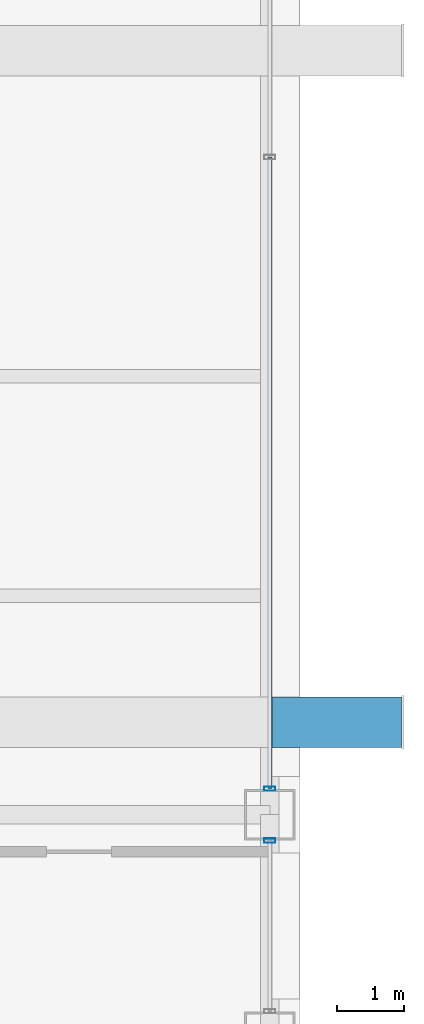
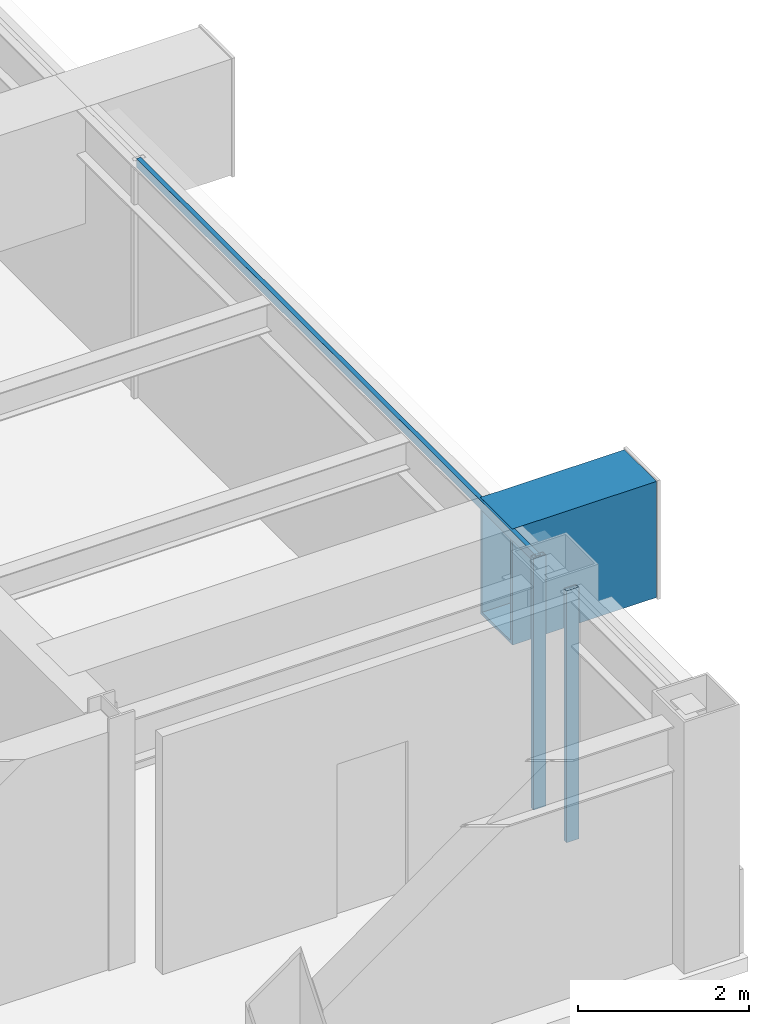
# One storey, part 13 of 26: 3 members, 1 beam, 2 elements without a shape of their own.
"""IFC4 building model written with IfcOpenShell, lengths in metres."""

import ifcopenshell
import ifcopenshell.guid

model = None  # the IFC model being written
_history = None  # IfcOwnerHistory: only IFC2X3 demands one
_inside = {}  # id of a spatial element -> (the spatial element, [elements in it])
_under = {}  # id of a project, library or spatial element -> (it, [spatial elements below it])
_declared = {}  # id of a project -> (the project, [libraries it declares])
_typed = {}  # id of a type object -> (the type object, [elements of that type])
_made_of = {}  # id of a material, layer set ... -> (it, [elements and type objects made of it])


def new_model(schema):
    """Start an empty IFC model of exactly this schema.

    Asked for "IFC4X3", IfcOpenShell would pick the latest addendum, in which some entities
    have other attributes; the version numbers below select the first issue.
    IFC2X3 requires an IfcOwnerHistory on every rooted entity: one is made here for all.
    """
    global model, _history
    if schema == "IFC4X3":
        model = ifcopenshell.file(schema_version=(4, 3, 0, 0))
    else:
        model = ifcopenshell.file(schema=schema)
    _inside.clear()
    _under.clear()
    _declared.clear()
    _typed.clear()
    _made_of.clear()
    _history = None
    if model.schema == "IFC2X3":
        org = make("IfcOrganization", Name="unknown")
        user = make(
            "IfcPersonAndOrganization",
            ThePerson=make("IfcPerson", FamilyName="unknown"),
            TheOrganization=org,
        )
        app = make(
            "IfcApplication",
            ApplicationDeveloper=org,
            Version="unknown",
            ApplicationFullName="unknown",
            ApplicationIdentifier="unknown",
        )
        _history = make(
            "IfcOwnerHistory",
            OwningUser=user,
            OwningApplication=app,
            ChangeAction="ADDED",
            CreationDate=0,
        )
    return model


def make(cls, **values):
    """One entity of the class cls with the attributes given. An attribute that is None is left unset."""
    return model.create_entity(
        cls, **{name: value for name, value in values.items() if value is not None}
    )


def rooted(cls, **values):
    """An entity with a GlobalId (a new one), such as an element, a storey or a relation."""
    return make(cls, GlobalId=ifcopenshell.guid.new(), OwnerHistory=_history, **values)


def si_unit(unit_type, name, prefix=None):
    """IfcSIUnit, for example si_unit("LENGTHUNIT", "METRE", prefix="MILLI")."""
    return make("IfcSIUnit", UnitType=unit_type, Prefix=prefix, Name=name)


def assignment(units):
    """IfcUnitAssignment: the units of a project."""
    return None if units is None else make("IfcUnitAssignment", Units=units)


def point(xyz):
    """IfcCartesianPoint."""
    return None if xyz is None else make("IfcCartesianPoint", Coordinates=xyz)


def direction(xyz):
    """IfcDirection."""
    return None if xyz is None else make("IfcDirection", DirectionRatios=xyz)


def frame(location, z_axis=None, x_axis=None):
    """IfcAxis2Placement3D, a coordinate frame: its origin and axes. An axis left out is left unset."""
    return make(
        "IfcAxis2Placement3D",
        Location=point(location),
        Axis=direction(z_axis),
        RefDirection=direction(x_axis),
    )


def frame_2d(location, x_axis=None):
    """IfcAxis2Placement2D, a coordinate frame in the plane: its origin and x axis."""
    return make(
        "IfcAxis2Placement2D", Location=point(location), RefDirection=direction(x_axis)
    )


def origin():
    """The frame at (0, 0, 0) with its axes left unset."""
    return frame((0.0, 0.0, 0.0))


def origin_2d():
    """The frame at (0, 0) in the plane with its x axis left unset."""
    return frame_2d((0.0, 0.0))


def place(relative_to, where):
    """IfcLocalPlacement: puts the frame where relative to a parent placement (None: the world)."""
    return make(
        "IfcLocalPlacement", PlacementRelTo=relative_to, RelativePlacement=where
    )


def context(
    kind, dimensions, precision=None, world=None, true_north=None, identifier=None
):
    """IfcGeometricRepresentationContext, for example the 3D "Model" context."""
    return make(
        "IfcGeometricRepresentationContext",
        ContextIdentifier=identifier,
        ContextType=kind,
        CoordinateSpaceDimension=dimensions,
        Precision=precision,
        WorldCoordinateSystem=world,
        TrueNorth=true_north,
    )


def subcontext(parent, identifier, kind, view, scale=None):
    """IfcGeometricRepresentationSubContext, for example "Body" below "Model"."""
    return make(
        "IfcGeometricRepresentationSubContext",
        ContextIdentifier=identifier,
        ContextType=kind,
        ParentContext=parent,
        TargetScale=scale,
        TargetView=view,
    )


def project(units=None, contexts=None):
    """IfcProject with its units and contexts."""
    return rooted(
        "IfcProject",
        Name="project",
        RepresentationContexts=contexts,
        UnitsInContext=assignment(units),
    )


def spatial(cls, under=None, at=None, **own):
    """A site, building, storey or space (cls), placed at a placement, below another one or the project."""
    s = rooted(cls, ObjectPlacement=at, **own)
    if under is not None:
        _under.setdefault(under.id(), (under, []))[1].append(s)
    return s


def profile(cls, at=None, kind="AREA", **sizes):
    """A parametric profile (cls). Its sizes go by their IFC names, for example OverallWidth=200.0."""
    return make(cls, ProfileType=kind, Position=at, **sizes)


def hollow_rectangle(**sizes):
    """IfcRectangleHollowProfileDef."""
    return profile("IfcRectangleHollowProfileDef", **sizes)


def extrude(swept, where, along, depth):
    """IfcExtrudedAreaSolid: the profile swept, set in the frame where, extruded along a direction by depth."""
    return make(
        "IfcExtrudedAreaSolid",
        SweptArea=swept,
        Position=where,
        ExtrudedDirection=direction(along),
        Depth=depth,
    )


def shape(context_of_items, identifier, shape_type, items):
    """IfcShapeRepresentation: the items that make up one representation, for example the "Body"."""
    return make(
        "IfcShapeRepresentation",
        ContextOfItems=context_of_items,
        RepresentationIdentifier=identifier,
        RepresentationType=shape_type,
        Items=items,
    )


def material(Name=None, Category=None):
    """IfcMaterial."""
    return make("IfcMaterial", Name=Name, Category=Category)


def layer(
    of_material, thickness, ventilated=None, Name=None, Category=None, Priority=None
):
    """IfcMaterialLayer: one layer of a wall or slab, of a material (None: an air gap)."""
    return make(
        "IfcMaterialLayer",
        Material=of_material,
        LayerThickness=thickness,
        IsVentilated=ventilated,
        Name=Name,
        Category=Category,
        Priority=Priority,
    )


def layer_set(layers, Name=None):
    """IfcMaterialLayerSet."""
    return make("IfcMaterialLayerSet", MaterialLayers=layers, LayerSetName=Name)


def material_profile(
    of_material, cross_section, Name=None, Category=None, Priority=None
):
    """IfcMaterialProfile: a cross section and its material."""
    return make(
        "IfcMaterialProfile",
        Name=Name,
        Material=of_material,
        Profile=cross_section,
        Priority=Priority,
        Category=Category,
    )


def profile_set(profiles, Name=None, composite=None):
    """IfcMaterialProfileSet."""
    return make(
        "IfcMaterialProfileSet",
        Name=Name,
        MaterialProfiles=profiles,
        CompositeProfile=composite,
    )


def made_of(thing, what):
    """Note that an element or type object is made of a material, layer set ...; save() writes the relation."""
    if what is not None:
        _made_of.setdefault(what.id(), (what, []))[1].append(thing)
    return thing


def type_object(cls, material=None, **own):
    """A type object (cls), such as IfcWallType, which elements share."""
    return made_of(rooted(cls, **own), material)


def element(
    cls,
    number,
    at=None,
    inside=None,
    cuts=None,
    type_object=None,
    material=None,
    context=None,
    identifier="Body",
    shape_type=None,
    held_by="IfcProductDefinitionShape",
    body=None,
    shapes=None,
    **own,
):
    """One element of the class cls, such as IfcWall. Its Tag is "e" and its number.

    at: its placement. inside: the storey or other place that contains it. cuts: it is an
    opening in that element (IfcRelVoidsElement). A single representation is given by context,
    identifier, shape_type and body (its items); several are given by shapes. held_by: the class
    of the entity that holds the representations. save() writes the other relations.
    """
    e = rooted(cls, Tag="e%d" % number, ObjectPlacement=at, **own)
    if body is not None:
        shapes = [shape(context, identifier, shape_type, body)]
    if shapes is not None:
        e.Representation = make(held_by, Representations=shapes)
    if inside is not None:
        _inside.setdefault(inside.id(), (inside, []))[1].append(e)
    if cuts is not None:
        rooted(
            "IfcRelVoidsElement", RelatingBuildingElement=cuts, RelatedOpeningElement=e
        )
    if type_object is not None:
        _typed.setdefault(type_object.id(), (type_object, []))[1].append(e)
    return made_of(e, material)


def aggregate(whole, parts):
    """IfcRelAggregates: a whole, such as a stair, and the parts it consists of."""
    return rooted("IfcRelAggregates", RelatingObject=whole, RelatedObjects=parts)


def save(model, path):
    """Write the relations noted so far, then the file.

    IfcRelAggregates (storeys below a building ...), IfcRelContainedInSpatialStructure (elements
    in a storey), IfcRelDefinesByType, IfcRelAssociatesMaterial and IfcRelDeclares: one each for
    every whole, place, type object, material and project.
    """
    for whole, parts in _under.values():
        aggregate(whole, parts)
    for where, things in _inside.values():
        rooted(
            "IfcRelContainedInSpatialStructure",
            RelatedElements=things,
            RelatingStructure=where,
        )
    for kind, things in _typed.values():
        rooted("IfcRelDefinesByType", RelatedObjects=things, RelatingType=kind)
    for what, things in _made_of.values():
        rooted("IfcRelAssociatesMaterial", RelatedObjects=things, RelatingMaterial=what)
    for by, libraries in _declared.values():
        rooted("IfcRelDeclares", RelatingContext=by, RelatedDefinitions=libraries)
    model.write(path)


model = new_model("IFC4")

# Units and contexts
model_context = context("Model", 3, precision=1e-05, world=origin(), true_north=direction((0.0, 1.0)))
body_context = subcontext(model_context, "Body", "Model", "MODEL_VIEW")
ifc_project = project(units=[si_unit("LENGTHUNIT", "METRE"), si_unit("AREAUNIT", "SQUARE_METRE"), si_unit("VOLUMEUNIT", "CUBIC_METRE"), si_unit("PLANEANGLEUNIT", "RADIAN"), si_unit("MASSUNIT", "GRAM", prefix="KILO")], contexts=[model_context])

# Site, building, storey
site_placement = place(None, origin())
site = spatial("IfcSite", under=ifc_project, at=site_placement, CompositionType="ELEMENT")
building_placement = place(site_placement, origin())
building = spatial("IfcBuilding", under=site, at=building_placement, Name="Brelmoor Portico Tower", CompositionType="ELEMENT")
storey_placement = place(building_placement, frame((0.0, 0.0, 180.300048828125)))
storey = spatial("IfcBuildingStorey", under=building, at=storey_placement, Name="L47", CompositionType="ELEMENT", Elevation=180.300048828125)

# Beam
ifc_material_1 = material(Name="Steel Q355B", Category="steel")
ifc_material_profile_1 = material_profile(ifc_material_1, hollow_rectangle(XDim=0.75, YDim=1.659912109375, WallThickness=0.0419921875, at=origin_2d()), Name="BOX 750x1660x42")
ifc_profile_set_1 = profile_set([ifc_material_profile_1], Name="Steel Q355B")
beam_type = type_object("IfcBeamType", Name="BM-PF-CANT", PredefinedType="BEAM", material=ifc_profile_set_1)
beam_placement = place(storey_placement, frame((20.550048828125, -8.3798828125, 2.570068359375), z_axis=(1.0, 0.0, 0.0), x_axis=(0.0, 1.0, 0.0)))
element("IfcBeam", 1, at=beam_placement, inside=storey, type_object=beam_type, Name="L47 Picture-Frame Outrigger Transfer Cantilever PFB-01", PredefinedType="BEAM", context=body_context, shape_type="SweptSolid", body=[
    extrude(hollow_rectangle(XDim=0.75, YDim=1.659912109375, WallThickness=0.0419921875, at=origin_2d()), origin(), (0.0, 0.0, 1.0), 1.949951171875),
])

# Curtain wall, member
ifc_material_2 = material(Name="Anodised Aluminium Alloy 6063-T6", Category="aluminium")
ifc_layer = layer(ifc_material_2, 0.179931640625)
ifc_layer_set = layer_set([ifc_layer], Name="Anodised Aluminium Alloy 6063-T6")
curtain_wall_type = type_object("IfcCurtainWallType", Name="CW-TOWER-Z3-XB", PredefinedType="NOTDEFINED", material=ifc_layer_set)
curtain_wall_1_placement = place(storey_placement, origin())
curtain_wall_1 = element("IfcCurtainWall", 2, at=curtain_wall_1_placement, inside=storey, type_object=curtain_wall_type, Name="L47 Curtain Wall CW-L47-04-1", PredefinedType="NOTDEFINED")
ifc_material_profile_2 = material_profile(ifc_material_2, hollow_rectangle(XDim=0.06494140625, YDim=0.1650390625, WallThickness=0.00390625, at=origin_2d()), Name="ALU MULLION 65x165")
ifc_profile_set_2 = profile_set([ifc_material_profile_2], Name="Anodised Aluminium Alloy 6063-T6")
member_type_1 = type_object("IfcMemberType", Name="MB-CW-MULL-165", PredefinedType="MULLION", material=ifc_profile_set_2)
member_1_placement = place(storey_placement, frame((20.550048828125, -10.135009765625, -0.199951171875), z_axis=(0.0, 0.0, 1.0), x_axis=(0.0, 1.0, 0.0)))
member_1 = element("IfcMember", 3, at=member_1_placement, type_object=member_type_1, Name="CW-L47-04-1 Mullion 01", PredefinedType="MULLION", context=body_context, shape_type="SweptSolid", body=[
    extrude(hollow_rectangle(XDim=0.06494140625, YDim=0.1650390625, WallThickness=0.00390625, at=origin_2d()), origin(), (0.0, 0.0, 1.0), 3.599853515625),
])
aggregate(curtain_wall_1, [member_1])

# Curtain wall, members
curtain_wall_2_placement = place(storey_placement, origin())
curtain_wall_2 = element("IfcCurtainWall", 4, at=curtain_wall_2_placement, inside=storey, type_object=curtain_wall_type, Name="L47 Curtain Wall CW-L47-04-2", PredefinedType="NOTDEFINED")
member_2_placement = place(storey_placement, frame((20.550048828125, -9.364990234375, -0.199951171875), z_axis=(0.0, 0.0, 1.0), x_axis=(0.0, 1.0, 0.0)))
member_2 = element("IfcMember", 5, at=member_2_placement, type_object=member_type_1, Name="CW-L47-04-2 Mullion 00", PredefinedType="MULLION", context=body_context, shape_type="SweptSolid", body=[
    extrude(hollow_rectangle(XDim=0.06494140625, YDim=0.1650390625, WallThickness=0.00390625, at=origin_2d()), origin(), (0.0, 0.0, 1.0), 3.599853515625),
])
ifc_material_profile_3 = material_profile(ifc_material_2, hollow_rectangle(XDim=0.06005859375, YDim=0.125, WallThickness=0.00341796875, at=origin_2d()), Name="ALU TRANSOM 60x125")
ifc_profile_set_3 = profile_set([ifc_material_profile_3], Name="Anodised Aluminium Alloy 6063-T6")
member_type_2 = type_object("IfcMemberType", Name="MB-CW-TRAN-125", PredefinedType="USERDEFINED", material=ifc_profile_set_3)
member_3_placement = place(storey_placement, frame((20.550048828125, -9.364990234375, 3.33740234375), z_axis=(0.0, 1.0, 0.0), x_axis=(-1.0, 0.0, 0.0)))
member_3 = element("IfcMember", 6, at=member_3_placement, type_object=member_type_2, Name="CW-L47-04-2 Transom 1-00", ObjectType="TRANSOM", PredefinedType="USERDEFINED", context=body_context, shape_type="SweptSolid", body=[
    extrude(hollow_rectangle(XDim=0.06005859375, YDim=0.125, WallThickness=0.00341796875, at=origin_2d()), origin(), (0.0, 0.0, 1.0), 9.364990234375),
])
aggregate(curtain_wall_2, [member_2, member_3])

save(model, "model.ifc")
